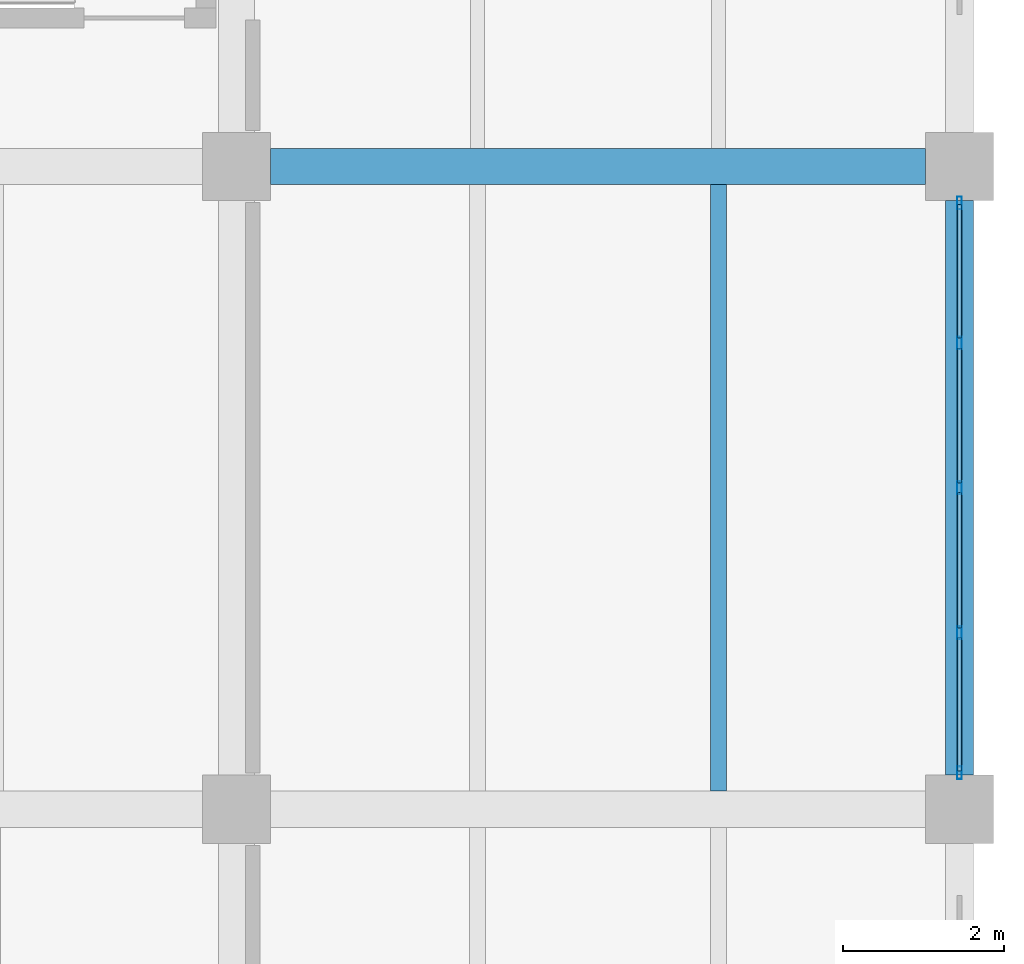
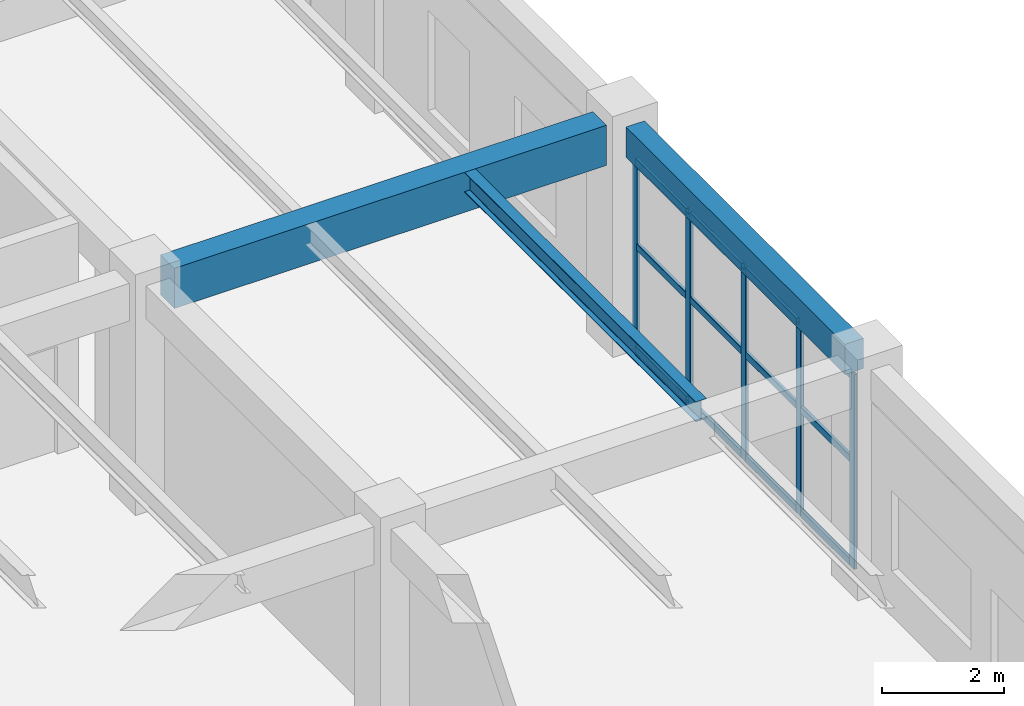
# One storey, part 132 of 178: 17 members, 3 beams, 1 element without a shape of its own.
"""IFC4 building model written with IfcOpenShell, lengths in metres."""

from ifc_helpers import new_model, si_unit, derived_unit, direction, frame, origin, origin_2d, place, context, subcontext, project, spatial, rectangle, hollow_rectangle, i_section, extrude, material, material_profile, profile_set, type_object, element, aggregate, save


model = new_model("IFC4")

# Units and contexts
model_context = context("Model", 3, precision=1e-05, world=origin(), true_north=direction((0.0, 1.0)))
body_context = subcontext(model_context, "Body", "Model", "MODEL_VIEW")
ifc_project = project(units=[si_unit("LENGTHUNIT", "METRE"), si_unit("AREAUNIT", "SQUARE_METRE"), si_unit("VOLUMEUNIT", "CUBIC_METRE"), si_unit("PLANEANGLEUNIT", "RADIAN"), si_unit("MASSUNIT", "GRAM", prefix="KILO"), derived_unit("THERMALTRANSMITTANCEUNIT", [(si_unit("MASSUNIT", "GRAM", prefix="KILO"), 1), (si_unit("TIMEUNIT", "SECOND"), -3), (si_unit("THERMODYNAMICTEMPERATUREUNIT", "KELVIN"), -1)])], contexts=[model_context])

# Site, building, storey
site_placement = place(None, origin())
site = spatial("IfcSite", under=ifc_project, at=site_placement, CompositionType="ELEMENT")
building_placement = place(site_placement, origin())
building = spatial("IfcBuilding", under=site, at=building_placement, Name="Zhenchuan Archway Interchange", CompositionType="ELEMENT")
storey_placement = place(building_placement, frame((0.0, 0.0, 5.39990234375)))
storey = spatial("IfcBuildingStorey", under=building, at=storey_placement, Name="L01", CompositionType="ELEMENT", Elevation=5.39990234375)

# Beam
ifc_material_1 = material(Name="Concrete C40", Category="concrete")
ifc_material_profile_1 = material_profile(ifc_material_1, rectangle(XDim=0.449951171875, YDim=0.800048828125, at=origin_2d()), Name="RC 450x800")
ifc_profile_set_1 = profile_set([ifc_material_profile_1], Name="Concrete C40")
beam_type_1 = type_object("IfcBeamType", Name="BM_RC_450x800", PredefinedType="BEAM", material=ifc_profile_set_1)
beam_1_placement = place(storey_placement, frame((162.425048828125, 88.0, 4.110107421875), z_axis=(1.0, 0.0, 0.0), x_axis=(0.0, 1.0, 0.0)))
element("IfcBeam", 1, at=beam_1_placement, inside=storey, type_object=beam_type_1, Name="Beam M:19-20 (L01)", PredefinedType="BEAM", context=body_context, shape_type="SweptSolid", body=[
    extrude(rectangle(XDim=0.449951171875, YDim=0.800048828125, at=origin_2d()), origin(), (0.0, 0.0, 1.0), 8.14990234375),
])

# Curtain wall, members
ifc_material_2 = material(Name="Anodised Aluminium", Category="aluminium")
curtain_wall_type = type_object("IfcCurtainWallType", Name="CW_UNIT_2", PredefinedType="NOTDEFINED", material=ifc_material_2)
curtain_wall_placement = place(storey_placement, origin())
curtain_wall = element("IfcCurtainWall", 2, at=curtain_wall_placement, inside=storey, type_object=curtain_wall_type, Name="Unitised curtain wall CW:L01:065", PredefinedType="NOTDEFINED")
ifc_material_profile_2 = material_profile(ifc_material_2, hollow_rectangle(XDim=0.06005859375, YDim=0.159912109375, WallThickness=0.00390625, InnerFilletRadius=0.00390625, OuterFilletRadius=0.008056640625, at=origin_2d()), Name="ALU 160x60x4")
ifc_profile_set_2 = profile_set([ifc_material_profile_2], Name="Anodised Aluminium")
member_type_1 = type_object("IfcMemberType", Name="CW_MUL_150", PredefinedType="MULLION", material=ifc_profile_set_2)
member_1_placement = place(storey_placement, frame((171.0, 87.547119140625, 0.0), z_axis=(0.0, 0.0, 1.0), x_axis=(1.0, 0.0, 0.0)))
member_1 = element("IfcMember", 3, at=member_1_placement, type_object=member_type_1, Name="CW:L01:065 mullion 0", PredefinedType="MULLION", context=body_context, shape_type="SweptSolid", body=[
    extrude(hollow_rectangle(XDim=0.06005859375, YDim=0.159912109375, WallThickness=0.00390625, InnerFilletRadius=0.00390625, OuterFilletRadius=0.008056640625, at=origin_2d()), origin(), (0.0, 0.0, 1.0), 3.880126953125),
])
member_2_placement = place(storey_placement, frame((171.0, 85.803466796875, 0.0), z_axis=(0.0, 0.0, 1.0), x_axis=(1.0, 0.0, 0.0)))
member_2 = element("IfcMember", 4, at=member_2_placement, type_object=member_type_1, Name="CW:L01:065 mullion 1", PredefinedType="MULLION", context=body_context, shape_type="SweptSolid", body=[
    extrude(hollow_rectangle(XDim=0.06005859375, YDim=0.159912109375, WallThickness=0.00390625, InnerFilletRadius=0.00390625, OuterFilletRadius=0.008056640625, at=origin_2d()), origin(), (0.0, 0.0, 1.0), 3.880126953125),
])
member_3_placement = place(storey_placement, frame((171.0, 84.0, 0.0), z_axis=(0.0, 0.0, 1.0), x_axis=(1.0, 0.0, 0.0)))
member_3 = element("IfcMember", 5, at=member_3_placement, type_object=member_type_1, Name="CW:L01:065 mullion 2", PredefinedType="MULLION", context=body_context, shape_type="SweptSolid", body=[
    extrude(hollow_rectangle(XDim=0.06005859375, YDim=0.159912109375, WallThickness=0.00390625, InnerFilletRadius=0.00390625, OuterFilletRadius=0.008056640625, at=origin_2d()), origin(), (0.0, 0.0, 1.0), 3.880126953125),
])
member_4_placement = place(storey_placement, frame((171.0, 82.196533203125, 0.0), z_axis=(0.0, 0.0, 1.0), x_axis=(1.0, 0.0, 0.0)))
member_4 = element("IfcMember", 6, at=member_4_placement, type_object=member_type_1, Name="CW:L01:065 mullion 3", PredefinedType="MULLION", context=body_context, shape_type="SweptSolid", body=[
    extrude(hollow_rectangle(XDim=0.06005859375, YDim=0.159912109375, WallThickness=0.00390625, InnerFilletRadius=0.00390625, OuterFilletRadius=0.008056640625, at=origin_2d()), origin(), (0.0, 0.0, 1.0), 3.880126953125),
])
member_5_placement = place(storey_placement, frame((171.0, 80.452880859375, 0.0), z_axis=(0.0, 0.0, 1.0), x_axis=(1.0, 0.0, 0.0)))
member_5 = element("IfcMember", 7, at=member_5_placement, type_object=member_type_1, Name="CW:L01:065 mullion 4", PredefinedType="MULLION", context=body_context, shape_type="SweptSolid", body=[
    extrude(hollow_rectangle(XDim=0.06005859375, YDim=0.159912109375, WallThickness=0.00390625, InnerFilletRadius=0.00390625, OuterFilletRadius=0.008056640625, at=origin_2d()), origin(), (0.0, 0.0, 1.0), 3.880126953125),
])
ifc_material_profile_3 = material_profile(ifc_material_2, hollow_rectangle(XDim=0.06005859375, YDim=0.139892578125, WallThickness=0.00341796875, InnerFilletRadius=0.00341796875, OuterFilletRadius=0.007080078125, at=origin_2d()), Name="ALU 140x60x3.5")
ifc_profile_set_3 = profile_set([ifc_material_profile_3], Name="Anodised Aluminium")
member_type_2 = type_object("IfcMemberType", Name="CW_TRN_140", PredefinedType="USERDEFINED", material=ifc_profile_set_3)
member_6_placement = place(storey_placement, frame((171.0, 87.527099609375, 0.06005859375), z_axis=(0.0, -1.0, 0.0), x_axis=(1.0, 0.0, 0.0)))
member_6 = element("IfcMember", 8, at=member_6_placement, type_object=member_type_2, Name="CW:L01:065 transom 0-1", ObjectType="TRANSOM", PredefinedType="USERDEFINED", context=body_context, shape_type="SweptSolid", body=[
    extrude(hollow_rectangle(XDim=0.06005859375, YDim=0.139892578125, WallThickness=0.00341796875, InnerFilletRadius=0.00341796875, OuterFilletRadius=0.007080078125, at=origin_2d()), origin(), (0.0, 0.0, 1.0), 1.66357421875),
])
member_7_placement = place(storey_placement, frame((171.0, 87.527099609375, 2.123046875), z_axis=(0.0, -1.0, 0.0), x_axis=(1.0, 0.0, 0.0)))
member_7 = element("IfcMember", 9, at=member_7_placement, type_object=member_type_2, Name="CW:L01:065 transom 0-2", ObjectType="TRANSOM", PredefinedType="USERDEFINED", context=body_context, shape_type="SweptSolid", body=[
    extrude(hollow_rectangle(XDim=0.06005859375, YDim=0.139892578125, WallThickness=0.00341796875, InnerFilletRadius=0.00341796875, OuterFilletRadius=0.007080078125, at=origin_2d()), origin(), (0.0, 0.0, 1.0), 1.66357421875),
])
member_8_placement = place(storey_placement, frame((171.0, 87.527099609375, 3.800048828125), z_axis=(0.0, -1.0, 0.0), x_axis=(1.0, 0.0, 0.0)))
member_8 = element("IfcMember", 10, at=member_8_placement, type_object=member_type_2, Name="CW:L01:065 transom 0-3", ObjectType="TRANSOM", PredefinedType="USERDEFINED", context=body_context, shape_type="SweptSolid", body=[
    extrude(hollow_rectangle(XDim=0.06005859375, YDim=0.139892578125, WallThickness=0.00341796875, InnerFilletRadius=0.00341796875, OuterFilletRadius=0.007080078125, at=origin_2d()), origin(), (0.0, 0.0, 1.0), 1.66357421875),
])
member_9_placement = place(storey_placement, frame((171.0, 85.743408203125, 0.06005859375), z_axis=(0.0, -1.0, 0.0), x_axis=(1.0, 0.0, 0.0)))
member_9 = element("IfcMember", 11, at=member_9_placement, type_object=member_type_2, Name="CW:L01:065 transom 1-1", ObjectType="TRANSOM", PredefinedType="USERDEFINED", context=body_context, shape_type="SweptSolid", body=[
    extrude(hollow_rectangle(XDim=0.06005859375, YDim=0.139892578125, WallThickness=0.00341796875, InnerFilletRadius=0.00341796875, OuterFilletRadius=0.007080078125, at=origin_2d()), origin(), (0.0, 0.0, 1.0), 1.683349609375),
])
member_10_placement = place(storey_placement, frame((171.0, 85.743408203125, 2.123046875), z_axis=(0.0, -1.0, 0.0), x_axis=(1.0, 0.0, 0.0)))
member_10 = element("IfcMember", 12, at=member_10_placement, type_object=member_type_2, Name="CW:L01:065 transom 1-2", ObjectType="TRANSOM", PredefinedType="USERDEFINED", context=body_context, shape_type="SweptSolid", body=[
    extrude(hollow_rectangle(XDim=0.06005859375, YDim=0.139892578125, WallThickness=0.00341796875, InnerFilletRadius=0.00341796875, OuterFilletRadius=0.007080078125, at=origin_2d()), origin(), (0.0, 0.0, 1.0), 1.683349609375),
])
member_11_placement = place(storey_placement, frame((171.0, 85.743408203125, 3.800048828125), z_axis=(0.0, -1.0, 0.0), x_axis=(1.0, 0.0, 0.0)))
member_11 = element("IfcMember", 13, at=member_11_placement, type_object=member_type_2, Name="CW:L01:065 transom 1-3", ObjectType="TRANSOM", PredefinedType="USERDEFINED", context=body_context, shape_type="SweptSolid", body=[
    extrude(hollow_rectangle(XDim=0.06005859375, YDim=0.139892578125, WallThickness=0.00341796875, InnerFilletRadius=0.00341796875, OuterFilletRadius=0.007080078125, at=origin_2d()), origin(), (0.0, 0.0, 1.0), 1.683349609375),
])
member_12_placement = place(storey_placement, frame((171.0, 83.93994140625, 0.06005859375), z_axis=(0.0, -1.0, 0.0), x_axis=(1.0, 0.0, 0.0)))
member_12 = element("IfcMember", 14, at=member_12_placement, type_object=member_type_2, Name="CW:L01:065 transom 2-1", ObjectType="TRANSOM", PredefinedType="USERDEFINED", context=body_context, shape_type="SweptSolid", body=[
    extrude(hollow_rectangle(XDim=0.06005859375, YDim=0.139892578125, WallThickness=0.00341796875, InnerFilletRadius=0.00341796875, OuterFilletRadius=0.007080078125, at=origin_2d()), origin(), (0.0, 0.0, 1.0), 1.683349609375),
])
member_13_placement = place(storey_placement, frame((171.0, 83.93994140625, 2.123046875), z_axis=(0.0, -1.0, 0.0), x_axis=(1.0, 0.0, 0.0)))
member_13 = element("IfcMember", 15, at=member_13_placement, type_object=member_type_2, Name="CW:L01:065 transom 2-2", ObjectType="TRANSOM", PredefinedType="USERDEFINED", context=body_context, shape_type="SweptSolid", body=[
    extrude(hollow_rectangle(XDim=0.06005859375, YDim=0.139892578125, WallThickness=0.00341796875, InnerFilletRadius=0.00341796875, OuterFilletRadius=0.007080078125, at=origin_2d()), origin(), (0.0, 0.0, 1.0), 1.683349609375),
])
member_14_placement = place(storey_placement, frame((171.0, 83.93994140625, 3.800048828125), z_axis=(0.0, -1.0, 0.0), x_axis=(1.0, 0.0, 0.0)))
member_14 = element("IfcMember", 16, at=member_14_placement, type_object=member_type_2, Name="CW:L01:065 transom 2-3", ObjectType="TRANSOM", PredefinedType="USERDEFINED", context=body_context, shape_type="SweptSolid", body=[
    extrude(hollow_rectangle(XDim=0.06005859375, YDim=0.139892578125, WallThickness=0.00341796875, InnerFilletRadius=0.00341796875, OuterFilletRadius=0.007080078125, at=origin_2d()), origin(), (0.0, 0.0, 1.0), 1.683349609375),
])
member_15_placement = place(storey_placement, frame((171.0, 82.136474609375, 0.06005859375), z_axis=(0.0, -1.0, 0.0), x_axis=(1.0, 0.0, 0.0)))
member_15 = element("IfcMember", 17, at=member_15_placement, type_object=member_type_2, Name="CW:L01:065 transom 3-1", ObjectType="TRANSOM", PredefinedType="USERDEFINED", context=body_context, shape_type="SweptSolid", body=[
    extrude(hollow_rectangle(XDim=0.06005859375, YDim=0.139892578125, WallThickness=0.00341796875, InnerFilletRadius=0.00341796875, OuterFilletRadius=0.007080078125, at=origin_2d()), origin(), (0.0, 0.0, 1.0), 1.66357421875),
])
member_16_placement = place(storey_placement, frame((171.0, 82.136474609375, 2.123046875), z_axis=(0.0, -1.0, 0.0), x_axis=(1.0, 0.0, 0.0)))
member_16 = element("IfcMember", 18, at=member_16_placement, type_object=member_type_2, Name="CW:L01:065 transom 3-2", ObjectType="TRANSOM", PredefinedType="USERDEFINED", context=body_context, shape_type="SweptSolid", body=[
    extrude(hollow_rectangle(XDim=0.06005859375, YDim=0.139892578125, WallThickness=0.00341796875, InnerFilletRadius=0.00341796875, OuterFilletRadius=0.007080078125, at=origin_2d()), origin(), (0.0, 0.0, 1.0), 1.66357421875),
])
member_17_placement = place(storey_placement, frame((171.0, 82.136474609375, 3.800048828125), z_axis=(0.0, -1.0, 0.0), x_axis=(1.0, 0.0, 0.0)))
member_17 = element("IfcMember", 19, at=member_17_placement, type_object=member_type_2, Name="CW:L01:065 transom 3-3", ObjectType="TRANSOM", PredefinedType="USERDEFINED", context=body_context, shape_type="SweptSolid", body=[
    extrude(hollow_rectangle(XDim=0.06005859375, YDim=0.139892578125, WallThickness=0.00341796875, InnerFilletRadius=0.00341796875, OuterFilletRadius=0.007080078125, at=origin_2d()), origin(), (0.0, 0.0, 1.0), 1.66357421875),
])
aggregate(curtain_wall, [member_1, member_2, member_3, member_4, member_5, member_6, member_7, member_8, member_9, member_10, member_11, member_12, member_13, member_14, member_15, member_16, member_17])

# Beams
ifc_material_3 = material(Name="Steel Q355", Category="steel")
ifc_material_profile_4 = material_profile(ifc_material_3, i_section(OverallWidth=0.199951171875, OverallDepth=0.39990234375, WebThickness=0.008056640625, FlangeThickness=0.012939453125, FilletRadius=0.01611328125, at=origin_2d()), Name="HN 400x200")
ifc_profile_set_4 = profile_set([ifc_material_profile_4], Name="Steel Q355")
beam_type_2 = type_object("IfcBeamType", Name="JST_STL_HN400", PredefinedType="JOIST", material=ifc_profile_set_4)
beam_2_placement = place(storey_placement, frame((168.0, 80.22509765625, 4.31005859375), z_axis=(0.0, 1.0, 0.0), x_axis=(-1.0, 0.0, 0.0)))
element("IfcBeam", 20, at=beam_2_placement, inside=storey, type_object=beam_type_2, Name="Secondary joist 19-20/L-M #2 (L01)", PredefinedType="JOIST", context=body_context, shape_type="SweptSolid", body=[
    extrude(i_section(OverallWidth=0.199951171875, OverallDepth=0.39990234375, WebThickness=0.008056640625, FlangeThickness=0.012939453125, FilletRadius=0.01611328125, at=origin_2d()), origin(), (0.0, 0.0, 1.0), 7.5498046875),
])
ifc_material_profile_5 = material_profile(ifc_material_1, rectangle(XDim=0.35009765625, YDim=0.60009765625, at=origin_2d()), Name="RC 350x600")
ifc_profile_set_5 = profile_set([ifc_material_profile_5], Name="Concrete C40")
beam_type_3 = type_object("IfcBeamType", Name="SP_RC_350x600", PredefinedType="SPANDREL", material=ifc_profile_set_5)
beam_3_placement = place(storey_placement, frame((171.0, 80.425048828125, 4.210205078125), z_axis=(0.0, 1.0, 0.0), x_axis=(-1.0, 0.0, 0.0)))
element("IfcBeam", 21, at=beam_3_placement, inside=storey, type_object=beam_type_3, Name="Beam 20:L-M (L01)", PredefinedType="SPANDREL", context=body_context, shape_type="SweptSolid", body=[
    extrude(rectangle(XDim=0.35009765625, YDim=0.60009765625, at=origin_2d()), origin(), (0.0, 0.0, 1.0), 7.14990234375),
])

save(model, "model.ifc")
